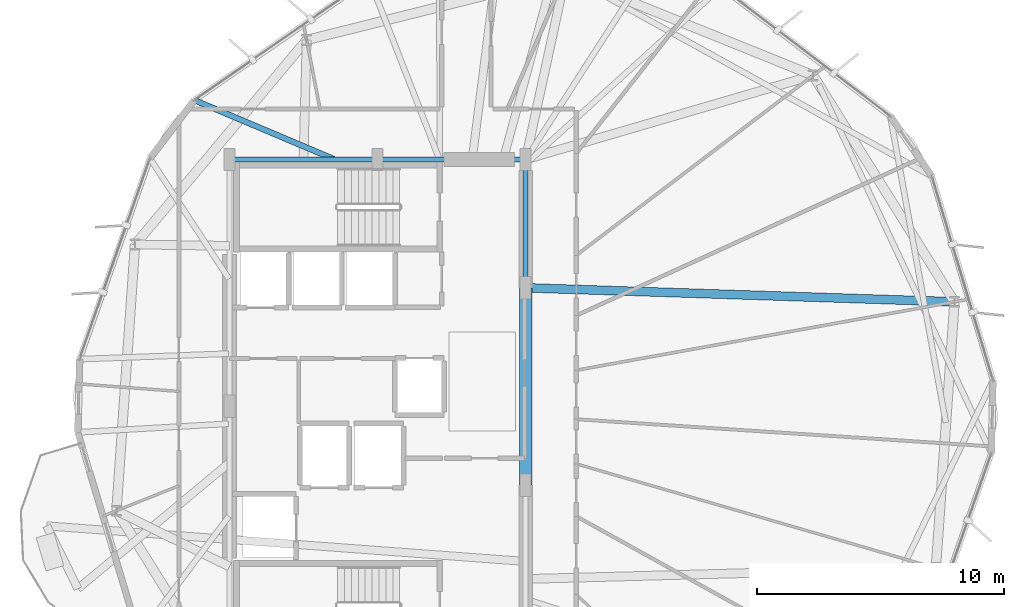
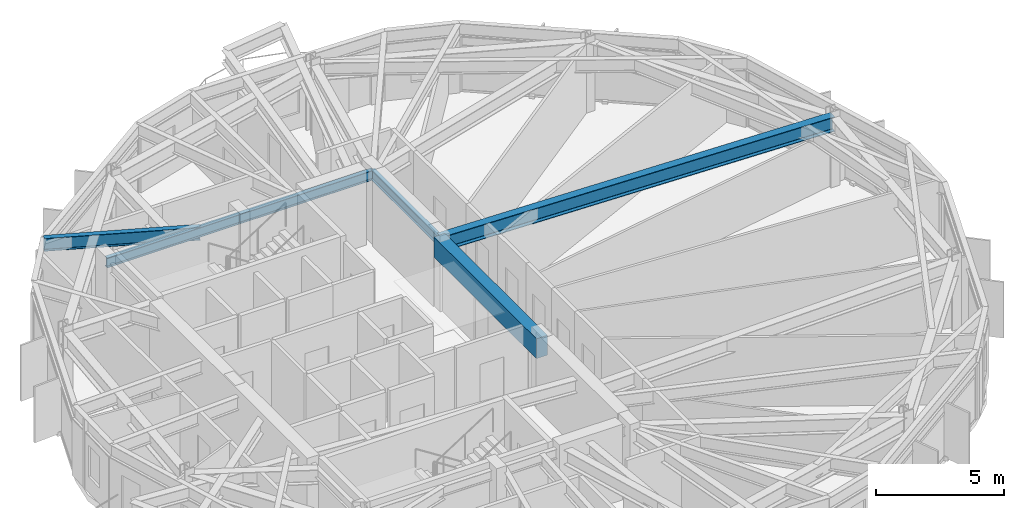
# One storey, part 7 of 22: 6 beams.
"""IFC4 building model written with IfcOpenShell, lengths in metres."""

from ifc_helpers import new_model, si_unit, direction, frame, origin, origin_2d, place, context, subcontext, project, spatial, rectangle, i_section, extrude, material, material_profile, profile_set, type_object, element, save


model = new_model("IFC4")

# Units and contexts
model_context = context("Model", 3, precision=1e-05, world=origin(), true_north=direction((0.0, 1.0)))
body_context = subcontext(model_context, "Body", "Model", "MODEL_VIEW")
ifc_project = project(units=[si_unit("LENGTHUNIT", "METRE"), si_unit("AREAUNIT", "SQUARE_METRE"), si_unit("VOLUMEUNIT", "CUBIC_METRE"), si_unit("PLANEANGLEUNIT", "RADIAN"), si_unit("MASSUNIT", "GRAM", prefix="KILO")], contexts=[model_context])

# Site, building, storey
site_placement = place(None, origin())
site = spatial("IfcSite", under=ifc_project, at=site_placement, CompositionType="ELEMENT")
building_placement = place(site_placement, origin())
building = spatial("IfcBuilding", under=site, at=building_placement, Name="Soratama Intermodal Tower", CompositionType="ELEMENT")
storey_placement = place(building_placement, frame((0.0, 0.0, 160.60009765625)))
storey = spatial("IfcBuildingStorey", under=building, at=storey_placement, Name="L39", CompositionType="ELEMENT", Elevation=160.60009765625)

# Beams
ifc_material_1 = material(Name="Concrete f'c 56 MPa", Category="concrete")
ifc_material_profile_1 = material_profile(ifc_material_1, rectangle(XDim=0.5, YDim=0.949951171875, at=origin_2d()), Name="RC500X950")
ifc_profile_set_1 = profile_set([ifc_material_profile_1], Name="Concrete f'c 56 MPa")
beam_type_1 = type_object("IfcBeamType", Name="BM-CPL-RC500X950", PredefinedType="BEAM", material=ifc_profile_set_1)
beam_1_placement = place(storey_placement, frame((44.60009765625, 21.800048828125, 2.824951171875), z_axis=(0.0, 1.0, 0.0), x_axis=(-1.0, 0.0, 0.0)))
element("IfcBeam", 1, at=beam_1_placement, inside=storey, type_object=beam_type_1, Name="L39 Core Coupling Beam East", PredefinedType="BEAM", context=body_context, shape_type="SweptSolid", body=[
    extrude(rectangle(XDim=0.5, YDim=0.949951171875, at=origin_2d()), origin(), (0.0, 0.0, 1.0), 8.0),
])
ifc_material_2 = material(Name="Structural steel ASTM A992 Grade 50", Category="steel")
ifc_material_profile_2 = material_profile(ifc_material_2, i_section(OverallWidth=0.19091796875, OverallDepth=0.4599609375, WebThickness=0.010009765625, FlangeThickness=0.01611328125, FilletRadius=0.010986328125, at=origin_2d()), Name="W18X55")
ifc_profile_set_2 = profile_set([ifc_material_profile_2], Name="Structural steel ASTM A992 Grade 50")
beam_type_2 = type_object("IfcBeamType", Name="BM-FLR-W18X55", PredefinedType="BEAM", material=ifc_profile_set_2)
beam_2_placement = place(storey_placement, frame((44.60009765625, 29.800048828125, 3.06982421875), z_axis=(0.0, 1.0, 0.0), x_axis=(-1.0, 0.0, 0.0)))
element("IfcBeam", 2, at=beam_2_placement, inside=storey, type_object=beam_type_2, Name="BM-L39-CRING-05", PredefinedType="BEAM", context=body_context, shape_type="SweptSolid", body=[
    extrude(i_section(OverallWidth=0.19091796875, OverallDepth=0.4599609375, WebThickness=0.010009765625, FlangeThickness=0.01611328125, FilletRadius=0.010986328125, at=origin_2d()), origin(), (0.0, 0.0, 1.0), 5.199951171875),
])
for number, where, z_axis, x_axis, name in (
    (3, (44.60009765625, 35.0, 3.06982421875), (-1.0, 0.0, 0.0), (0.0, -1.0, 0.0), "BM-L39-CRING-06"),
    (4, (38.60009765625, 35.0, 3.06982421875), (-1.0, 0.0, 0.0), (0.0, -1.0, 0.0), "BM-L39-CRING-07"),
):
    element("IfcBeam", number, at=place(storey_placement, frame(where, z_axis=z_axis, x_axis=x_axis)), inside=storey, type_object=beam_type_2, Name=name, PredefinedType="BEAM", context=body_context, shape_type="SweptSolid", body=[
        extrude(i_section(OverallWidth=0.19091796875, OverallDepth=0.4599609375, WebThickness=0.010009765625, FlangeThickness=0.01611328125, FilletRadius=0.010986328125, at=origin_2d()), origin(), (0.0, 0.0, 1.0), 6.0),
    ])
ifc_material_3 = material(Name="Structural steel ASTM A992 Grade 50", Category="steel")
ifc_material_profile_3 = material_profile(ifc_material_3, i_section(OverallWidth=0.35498046875, OverallDepth=0.695068359375, WebThickness=0.015380859375, FlangeThickness=0.02490234375, FilletRadius=0.01611328125, at=origin_2d()), Name="W27X146")
ifc_profile_set_3 = profile_set([ifc_material_profile_3], Name="Structural steel ASTM A992 Grade 50")
beam_type_3 = type_object("IfcBeamType", Name="BM-RING-W27X146", PredefinedType="BEAM", material=ifc_profile_set_3)
beam_3_placement = place(storey_placement, frame((44.60009765625, 29.800048828125, 2.952392578125), z_axis=(0.999469833309, -0.032558444449, 0.0), x_axis=(0.032558444449, 0.999469833309, 0.0)))
element("IfcBeam", 5, at=beam_3_placement, inside=storey, type_object=beam_type_3, Name="BM-L39-RAD-01", PredefinedType="BEAM", context=body_context, shape_type="SweptSolid", body=[
    extrude(i_section(OverallWidth=0.35498046875, OverallDepth=0.695068359375, WebThickness=0.015380859375, FlangeThickness=0.02490234375, FilletRadius=0.01611328125, at=origin_2d()), origin(), (0.0, 0.0, 1.0), 17.38916015625),
])
ifc_material_4 = material(Name="Structural steel ASTM A992 Grade 50", Category="steel")
ifc_material_profile_4 = material_profile(ifc_material_4, i_section(OverallWidth=0.22900390625, OverallDepth=0.612060546875, WebThickness=0.011962890625, FlangeThickness=0.01953125, FilletRadius=0.012939453125, at=origin_2d()), Name="W24X84")
ifc_profile_set_4 = profile_set([ifc_material_profile_4], Name="Structural steel ASTM A992 Grade 50")
beam_type_4 = type_object("IfcBeamType", Name="BM-TIE-W24X84", PredefinedType="BEAM", material=ifc_profile_set_4)
beam_4_placement = place(storey_placement, frame((36.8310546875, 35.01611328125, 2.993896484375), z_axis=(-0.921201424837, 0.389086025037, 0.0), x_axis=(-0.389086025037, -0.921201424837, 0.0)))
element("IfcBeam", 6, at=beam_4_placement, inside=storey, type_object=beam_type_4, Name="BM-L39-TIE1-03", PredefinedType="BEAM", context=body_context, shape_type="SweptSolid", body=[
    extrude(i_section(OverallWidth=0.22900390625, OverallDepth=0.612060546875, WebThickness=0.011962890625, FlangeThickness=0.01953125, FilletRadius=0.012939453125, at=origin_2d()), origin(), (0.0, 0.0, 1.0), 6.139892578125),
])

save(model, "model.ifc")
